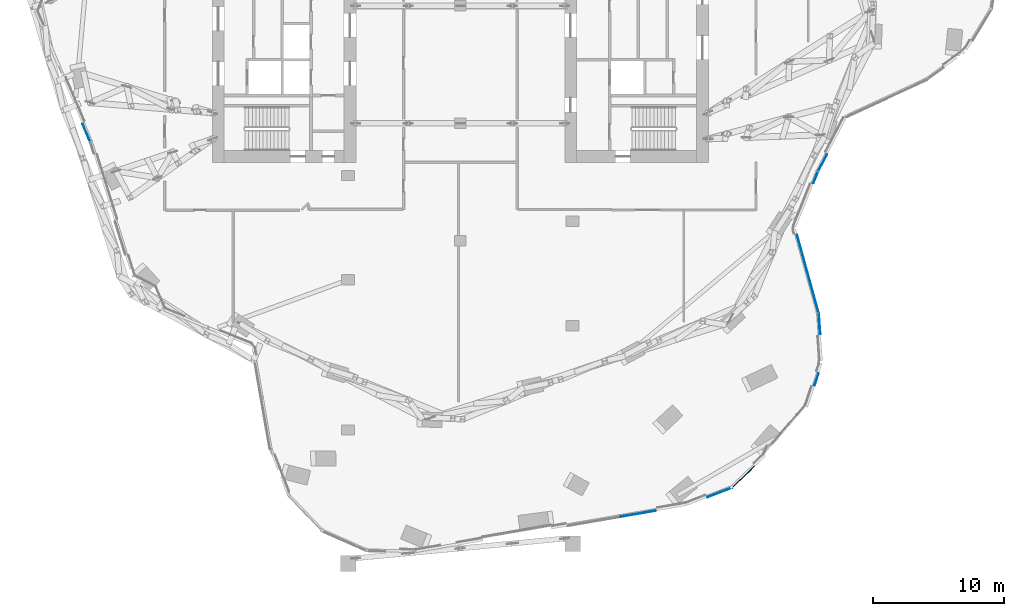
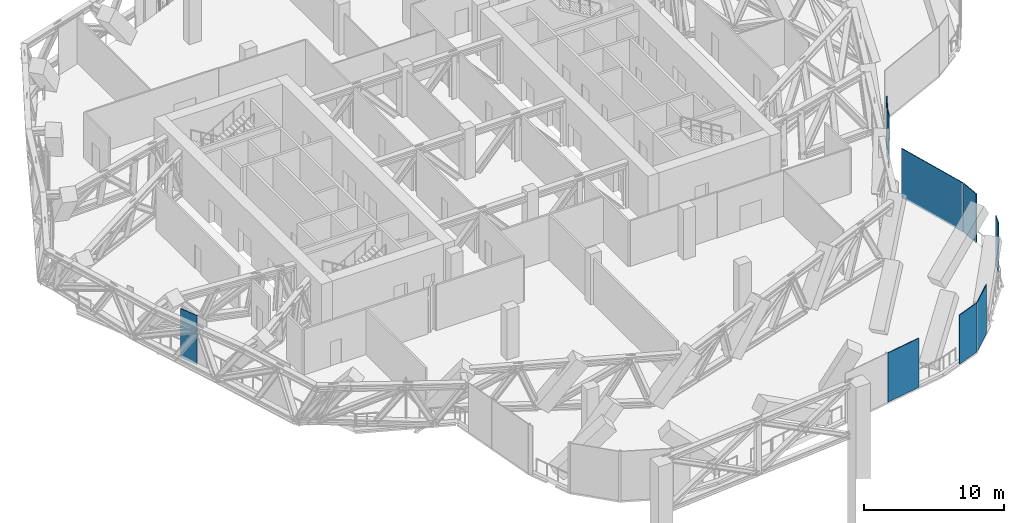
# One storey, part 18 of 31: 9 plates, 9 elements without a shape of their own.
"""IFC4 building model written with IfcOpenShell, lengths in metres."""

from ifc_helpers import new_model, si_unit, direction, frame, origin, origin_2d, place, context, subcontext, project, spatial, rectangle, extrude, material, layer, layer_set, type_object, element, aggregate, save


model = new_model("IFC4")

# Units and contexts
model_context = context("Model", 3, precision=1e-05, world=origin(), true_north=direction((0.0, 1.0)))
body_context = subcontext(model_context, "Body", "Model", "MODEL_VIEW")
ifc_project = project(units=[si_unit("LENGTHUNIT", "METRE"), si_unit("AREAUNIT", "SQUARE_METRE"), si_unit("VOLUMEUNIT", "CUBIC_METRE"), si_unit("PLANEANGLEUNIT", "RADIAN"), si_unit("MASSUNIT", "GRAM", prefix="KILO")], contexts=[model_context])

# Site, building, storey
site_placement = place(None, origin())
site = spatial("IfcSite", under=ifc_project, at=site_placement, CompositionType="ELEMENT")
building_placement = place(site_placement, origin())
building = spatial("IfcBuilding", under=site, at=building_placement, Name="Orlundy Tower", CompositionType="ELEMENT")
storey_placement = place(building_placement, frame((0.0, 0.0, 271.0)))
storey = spatial("IfcBuildingStorey", under=building, at=storey_placement, Name="L72", CompositionType="ELEMENT", Elevation=271.0)

# Curtain wall, plate
ifc_material_1 = material(Name="Aluminium bronze anodised", Category="aluminium")
curtain_wall_type = type_object("IfcCurtainWallType", Name="CW4 wall", PredefinedType="NOTDEFINED", material=ifc_material_1)
curtain_wall_1_placement = place(storey_placement, origin())
curtain_wall_1 = element("IfcCurtainWall", 1, at=curtain_wall_1_placement, inside=storey, type_object=curtain_wall_type, Name="CW4 run 04", PredefinedType="NOTDEFINED")
ifc_material_2 = material(Name="Louvre aluminium bronze anodised", Category="aluminium")
ifc_layer = layer(ifc_material_2, 0.06005859375)
ifc_layer_set = layer_set([ifc_layer], Name="CW4 louvre panel 60")
plate_type = type_object("IfcPlateType", Name="CW4 louvre panel 60", PredefinedType="CURTAIN_PANEL", material=ifc_layer_set)
plate_1_placement = place(storey_placement, frame((-28.6513671875, -9.7177734375, -0.2998046875), z_axis=(0.0, 0.0, 1.0), x_axis=(-0.390697634488, 0.920519070093, 0.0)))
plate_1 = element("IfcPlate", 2, at=plate_1_placement, type_object=plate_type, Name="CW4 louvre", PredefinedType="CURTAIN_PANEL", context=body_context, shape_type="SweptSolid", body=[
    extrude(rectangle(XDim=1.462890625, YDim=0.06005859375, at=origin_2d()), origin(), (0.0, 0.0, 1.0), 4.300048828125),
])
aggregate(curtain_wall_1, [plate_1])

curtain_wall_2_placement = place(storey_placement, origin())
curtain_wall_2 = element("IfcCurtainWall", 3, at=curtain_wall_2_placement, inside=storey, type_object=curtain_wall_type, Name="CW4 run 030", PredefinedType="NOTDEFINED")
plate_2_placement = place(storey_placement, frame((27.762939453125, -12.019775390625, -0.2998046875), z_axis=(0.0, 0.0, 1.0), x_axis=(-0.464368289089, -0.885642191909, 0.0)))
plate_2 = element("IfcPlate", 4, at=plate_2_placement, type_object=plate_type, Name="CW4 louvre", PredefinedType="CURTAIN_PANEL", context=body_context, shape_type="SweptSolid", body=[
    extrude(rectangle(XDim=1.44091796875, YDim=0.06005859375, at=origin_2d()), origin(), (0.0, 0.0, 1.0), 4.300048828125),
])
aggregate(curtain_wall_2, [plate_2])

curtain_wall_3_placement = place(storey_placement, origin())
curtain_wall_3 = element("IfcCurtainWall", 5, at=curtain_wall_3_placement, inside=storey, type_object=curtain_wall_type, Name="CW4 run 031", PredefinedType="NOTDEFINED")
plate_3_placement = place(storey_placement, frame((27.22509765625, -13.153564453125, -0.2998046875), z_axis=(0.0, 0.0, 1.0), x_axis=(-0.374539458585, -0.927210975972, 0.0)))
plate_3 = element("IfcPlate", 6, at=plate_3_placement, type_object=plate_type, Name="CW4 louvre", PredefinedType="CURTAIN_PANEL", context=body_context, shape_type="SweptSolid", body=[
    extrude(rectangle(XDim=0.95166015625, YDim=0.06005859375, at=origin_2d()), origin(), (0.0, 0.0, 1.0), 4.300048828125),
])
aggregate(curtain_wall_3, [plate_3])

curtain_wall_4_placement = place(storey_placement, origin())
curtain_wall_4 = element("IfcCurtainWall", 7, at=curtain_wall_4_placement, inside=storey, type_object=curtain_wall_type, Name="CW4 run 032", PredefinedType="NOTDEFINED")
plate_4_placement = place(storey_placement, frame((26.623779296875, -20.526123046875, -0.2998046875), z_axis=(0.0, 0.0, 1.0), x_axis=(0.26725609635, -0.963625538767, 0.0)))
plate_4 = element("IfcPlate", 8, at=plate_4_placement, type_object=plate_type, Name="CW4 louvre", PredefinedType="CURTAIN_PANEL", context=body_context, shape_type="SweptSolid", body=[
    extrude(rectangle(XDim=6.184326171875, YDim=0.06005859375, at=origin_2d()), origin(), (0.0, 0.0, 1.0), 4.300048828125),
])
aggregate(curtain_wall_4, [plate_4])

curtain_wall_5_placement = place(storey_placement, origin())
curtain_wall_5 = element("IfcCurtainWall", 9, at=curtain_wall_5_placement, inside=storey, type_object=curtain_wall_type, Name="CW4 run 033", PredefinedType="NOTDEFINED")
plate_5_placement = place(storey_placement, frame((27.52001953125, -24.36865234375, -0.2998046875), z_axis=(0.0, 0.0, 1.0), x_axis=(0.073911430304, -0.997264809602, 0.0)))
plate_5 = element("IfcPlate", 10, at=plate_5_placement, type_object=plate_type, Name="CW4 louvre", PredefinedType="CURTAIN_PANEL", context=body_context, shape_type="SweptSolid", body=[
    extrude(rectangle(XDim=1.612060546875, YDim=0.06005859375, at=origin_2d()), origin(), (0.0, 0.0, 1.0), 4.300048828125),
])
aggregate(curtain_wall_5, [plate_5])

curtain_wall_6_placement = place(storey_placement, origin())
curtain_wall_6 = element("IfcCurtainWall", 11, at=curtain_wall_6_placement, inside=storey, type_object=curtain_wall_type, Name="CW4 run 034", PredefinedType="NOTDEFINED")
plate_6_placement = place(storey_placement, frame((27.291748046875, -28.63037109375, -0.2998046875), z_axis=(0.0, 0.0, 1.0), x_axis=(-0.312988116173, -0.949757042161, 0.0)))
plate_6 = element("IfcPlate", 12, at=plate_6_placement, type_object=plate_type, Name="CW4 louvre", PredefinedType="CURTAIN_PANEL", context=body_context, shape_type="SweptSolid", body=[
    extrude(rectangle(XDim=0.971435546875, YDim=0.06005859375, at=origin_2d()), origin(), (0.0, 0.0, 1.0), 4.300048828125),
])
aggregate(curtain_wall_6, [plate_6])

curtain_wall_7_placement = place(storey_placement, origin())
curtain_wall_7 = element("IfcCurtainWall", 13, at=curtain_wall_7_placement, inside=storey, type_object=curtain_wall_type, Name="CW4 run 038", PredefinedType="NOTDEFINED")
plate_7_placement = place(storey_placement, frame((21.682861328125, -36.097412109375, -0.2998046875), z_axis=(0.0, 0.0, 1.0), x_axis=(-0.7244266007, -0.689351942188, 0.0)))
plate_7 = element("IfcPlate", 14, at=plate_7_placement, type_object=plate_type, Name="CW4 louvre", PredefinedType="CURTAIN_PANEL", context=body_context, shape_type="SweptSolid", body=[
    extrude(rectangle(XDim=2.399658203125, YDim=0.06005859375, at=origin_2d()), origin(), (0.0, 0.0, 1.0), 4.300048828125),
])
aggregate(curtain_wall_7, [plate_7])

curtain_wall_8_placement = place(storey_placement, origin())
curtain_wall_8 = element("IfcCurtainWall", 15, at=curtain_wall_8_placement, inside=storey, type_object=curtain_wall_type, Name="CW4 run 039", PredefinedType="NOTDEFINED")
plate_8_placement = place(storey_placement, frame((19.88037109375, -37.284423828125, -0.2998046875), z_axis=(0.0, 0.0, 1.0), x_axis=(-0.933018476944, -0.359828461467, 0.0)))
plate_8 = element("IfcPlate", 16, at=plate_8_placement, type_object=plate_type, Name="CW4 louvre", PredefinedType="CURTAIN_PANEL", context=body_context, shape_type="SweptSolid", body=[
    extrude(rectangle(XDim=2.00048828125, YDim=0.06005859375, at=origin_2d()), origin(), (0.0, 0.0, 1.0), 4.300048828125),
])
aggregate(curtain_wall_8, [plate_8])

curtain_wall_9_placement = place(storey_placement, origin())
curtain_wall_9 = element("IfcCurtainWall", 17, at=curtain_wall_9_placement, inside=storey, type_object=curtain_wall_type, Name="CW4 run 040", PredefinedType="NOTDEFINED")
plate_9_placement = place(storey_placement, frame((13.565673828125, -38.92529296875, -0.2998046875), z_axis=(0.0, 0.0, 1.0), x_axis=(-0.985311546096, -0.170766381732, 0.0)))
plate_9 = element("IfcPlate", 18, at=plate_9_placement, type_object=plate_type, Name="CW4 louvre", PredefinedType="CURTAIN_PANEL", context=body_context, shape_type="SweptSolid", body=[
    extrude(rectangle(XDim=2.877685546875, YDim=0.06005859375, at=origin_2d()), origin(), (0.0, 0.0, 1.0), 4.300048828125),
])
aggregate(curtain_wall_9, [plate_9])

save(model, "model.ifc")
